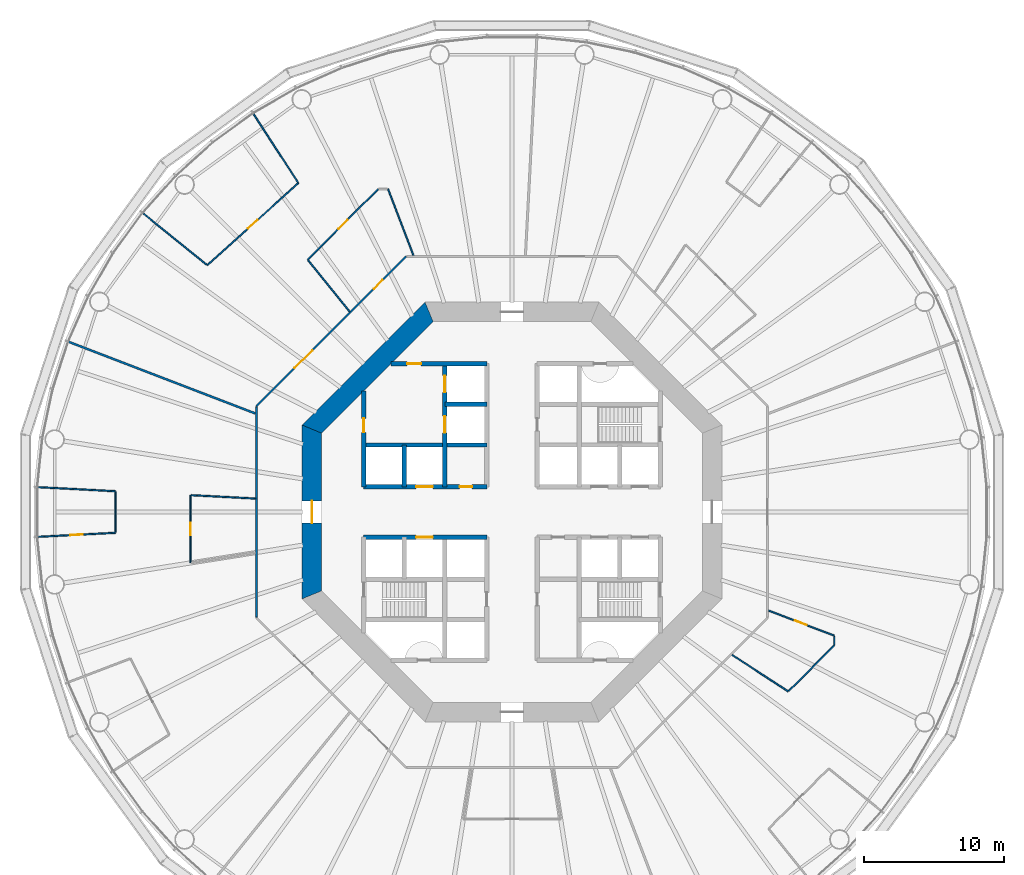
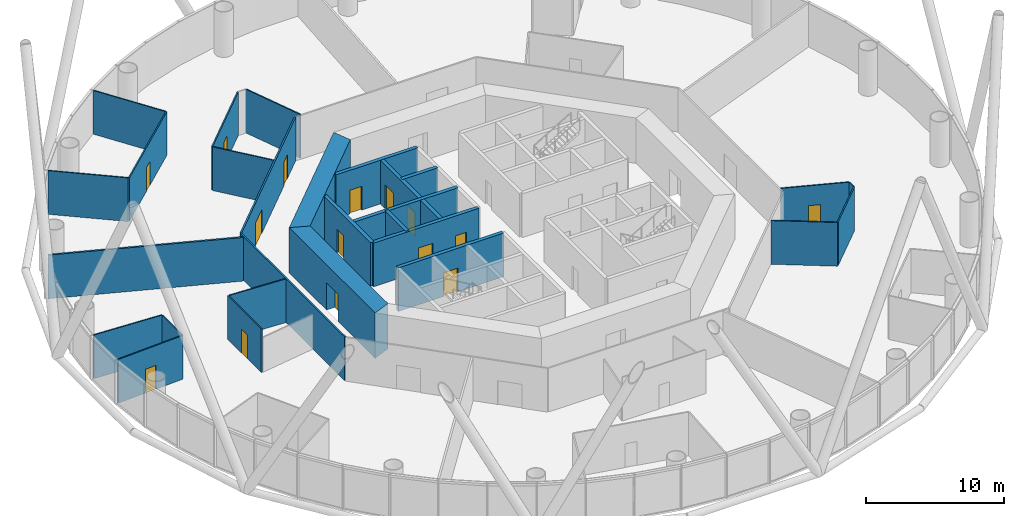
# One storey, part 4 of 13: 28 walls, 15 doors, 15 openings.
"""IFC4 building model written with IfcOpenShell, lengths in metres."""

from ifc_helpers import new_model, si_unit, direction, frame, frame_2d, origin, place, context, subcontext, project, spatial, polyline, rectangle, outline, extrude, material, layer, layer_set, type_object, element, fill, save


model = new_model("IFC4")

# Units and contexts
model_context = context("Model", 3, precision=1e-05, world=origin(), true_north=direction((0.0, 1.0)))
body_context = subcontext(model_context, "Body", "Model", "MODEL_VIEW")
ifc_project = project(units=[si_unit("LENGTHUNIT", "METRE"), si_unit("AREAUNIT", "SQUARE_METRE"), si_unit("VOLUMEUNIT", "CUBIC_METRE"), si_unit("PLANEANGLEUNIT", "RADIAN"), si_unit("MASSUNIT", "GRAM", prefix="KILO")], contexts=[model_context])

# Site, building, storey
site_placement = place(None, origin())
site = spatial("IfcSite", under=ifc_project, at=site_placement, CompositionType="ELEMENT")
building_placement = place(site_placement, origin())
building = spatial("IfcBuilding", under=site, at=building_placement, Name="Entoto Ring Tower", CompositionType="ELEMENT")
storey_placement = place(building_placement, frame((0.0, 0.0, 54.0)))
storey = spatial("IfcBuildingStorey", under=building, at=storey_placement, Name="L11", CompositionType="ELEMENT", Elevation=54.0)

# Wall, openings, doors
ifc_material_1 = material(Name="Concrete C40/50", Category="concrete")
ifc_layer_1 = layer(ifc_material_1, 0.300048828125)
ifc_layer_set_1 = layer_set([ifc_layer_1], Name="Concrete C40/50")
wall_type_1 = type_object("IfcWallType", Name="Core enclosure wall 300 mm reinforced concrete", PredefinedType="SOLIDWALL", material=ifc_layer_set_1)
wall_1_placement = place(storey_placement, frame((85.199951171875, 81.800048828125, 0.0), z_axis=(0.0, 0.0, 1.0), x_axis=(0.0, 1.0, 0.0)))
wall_1 = element("IfcWall", 1, at=wall_1_placement, inside=storey, type_object=wall_type_1, Name="wall-L11-012", PredefinedType="SOLIDWALL", context=body_context, shape_type="SweptSolid", body=[
    extrude(rectangle(XDim=8.800048828125, YDim=0.300048828125, at=frame_2d((4.39990234375, 0.0))), origin(), (0.0, 0.0, 1.0), 3.85009765625),
])
opening_1_placement = place(wall_1_placement, frame((3.85009765625, 0.0, 0.0)))
opening_1 = element("IfcOpeningElement", 2, at=opening_1_placement, cuts=wall_1, Name="Opening LD", PredefinedType="OPENING", context=body_context, shape_type="SweptSolid", body=[
    extrude(rectangle(XDim=1.199951171875, YDim=2.10009765625, at=frame_2d((0.60009765625, 1.050048828125))), frame((0.0, 0.16015625, 0.0), z_axis=(0.0, -1.0, 0.0), x_axis=(1.0, 0.0, 0.0)), (0.0, 0.0, 1.0), 0.320068359375),
])
opening_2_placement = place(wall_1_placement, frame((6.75, 0.0, 0.0)))
opening_2 = element("IfcOpeningElement", 3, at=opening_2_placement, cuts=wall_1, Name="Opening LD", PredefinedType="OPENING", context=body_context, shape_type="SweptSolid", body=[
    extrude(rectangle(XDim=1.199951171875, YDim=2.10009765625, at=frame_2d((0.60009765625, 1.050048828125))), frame((0.0, 0.16015625, 0.0), z_axis=(0.0, -1.0, 0.0), x_axis=(1.0, 0.0, 0.0)), (0.0, 0.0, 1.0), 0.320068359375),
])
ifc_material_2 = material(Name="Steel and glass door leaf", Category="steel")
ifc_layer_2 = layer(ifc_material_2, 0.050048828125)
ifc_layer_set_2 = layer_set([ifc_layer_2], Name="Steel and glass door leaf")
door_type_1 = type_object("IfcDoorType", Name="Landing door 1200 x 2100 sliding", OperationType="DOUBLE_DOOR_SLIDING", PredefinedType="DOOR", material=ifc_layer_set_2)
door_1_placement = place(opening_1_placement, origin())
door_1 = element("IfcDoor", 4, at=door_1_placement, inside=storey, type_object=door_type_1, Name="Landing door FF1", OperationType="SLIDING_TO_RIGHT", OverallHeight=2.10009765625, OverallWidth=1.199951171875, PredefinedType="DOOR", context=body_context, shape_type="SweptSolid", body=[
    extrude(rectangle(XDim=1.199951171875, YDim=2.10009765625, at=frame_2d((0.60009765625, 1.050048828125))), frame((0.0, 0.02490234375, 0.0), z_axis=(0.0, -1.0, 0.0), x_axis=(1.0, 0.0, 0.0)), (0.0, 0.0, 1.0), 0.050048828125),
])
fill(opening_1, door_1)
door_2_placement = place(opening_2_placement, origin())
door_2 = element("IfcDoor", 5, at=door_2_placement, inside=storey, type_object=door_type_1, Name="Landing door FF2", OperationType="SLIDING_TO_RIGHT", OverallHeight=2.10009765625, OverallWidth=1.199951171875, PredefinedType="DOOR", context=body_context, shape_type="SweptSolid", body=[
    extrude(rectangle(XDim=1.199951171875, YDim=2.10009765625, at=frame_2d((0.60009765625, 1.050048828125))), frame((0.0, 0.02490234375, 0.0), z_axis=(0.0, -1.0, 0.0), x_axis=(1.0, 0.0, 0.0)), (0.0, 0.0, 1.0), 0.050048828125),
])
fill(opening_2, door_2)

# Wall
wall_2_placement = place(storey_placement, frame((82.300048828125, 81.800048828125, 0.0), z_axis=(0.0, 0.0, 1.0), x_axis=(0.0, 1.0, 0.0)))
element("IfcWall", 6, at=wall_2_placement, inside=storey, type_object=wall_type_1, Name="wall-L11-014", PredefinedType="SOLIDWALL", context=body_context, shape_type="SweptSolid", body=[
    extrude(rectangle(XDim=3.0, YDim=0.300048828125, at=frame_2d((1.5, 0.0))), origin(), (0.0, 0.0, 1.0), 3.85009765625),
])

# Wall, opening, door
wall_3_placement = place(storey_placement, frame((79.39990234375, 81.800048828125, 0.0), z_axis=(0.0, 0.0, 1.0), x_axis=(0.0, 1.0, 0.0)))
wall_3 = element("IfcWall", 7, at=wall_3_placement, inside=storey, type_object=wall_type_1, Name="wall-L11-016", PredefinedType="SOLIDWALL", context=body_context, shape_type="SweptSolid", body=[
    extrude(rectangle(XDim=6.833251953125, YDim=0.300048828125, at=frame_2d((3.41650390625, 0.0))), origin(), (0.0, 0.0, 1.0), 3.85009765625),
])
opening_3_placement = place(wall_3_placement, frame((3.89990234375, 0.0, 0.0)))
opening_3 = element("IfcOpeningElement", 8, at=opening_3_placement, cuts=wall_3, Name="Opening K-22", PredefinedType="OPENING", context=body_context, shape_type="SweptSolid", body=[
    extrude(rectangle(XDim=1.0, YDim=2.10009765625, at=frame_2d((0.5, 1.050048828125))), frame((0.0, 0.16015625, 0.0), z_axis=(0.0, -1.0, 0.0), x_axis=(1.0, 0.0, 0.0)), (0.0, 0.0, 1.0), 0.320068359375),
])
ifc_material_3 = material(Name="Steel door leaf, fire rated", Category="steel")
ifc_layer_3 = layer(ifc_material_3, 0.050048828125)
ifc_layer_set_3 = layer_set([ifc_layer_3], Name="Steel door leaf, fire rated")
door_type_2 = type_object("IfcDoorType", Name="Fire door FD60 1000 x 2100 single leaf", OperationType="NOTDEFINED", PredefinedType="DOOR", material=ifc_layer_set_3)
door_3_placement = place(opening_3_placement, frame((1.0, 0.0, 0.0), z_axis=(0.0, 0.0, 1.0), x_axis=(-1.0, 0.0, 0.0)))
door_3 = element("IfcDoor", 9, at=door_3_placement, inside=storey, type_object=door_type_2, Name="Door K-22", OperationType="SINGLE_SWING_LEFT", OverallHeight=2.10009765625, OverallWidth=1.0, PredefinedType="DOOR", context=body_context, shape_type="SweptSolid", body=[
    extrude(rectangle(XDim=1.0, YDim=2.10009765625, at=frame_2d((0.5, 1.050048828125))), frame((0.0, 0.02490234375, 0.0), z_axis=(0.0, -1.0, 0.0), x_axis=(1.0, 0.0, 0.0)), (0.0, 0.0, 1.0), 0.050048828125),
])
fill(opening_3, door_3)

wall_4_placement = place(storey_placement, frame((79.39990234375, 78.199951171875, 0.0), z_axis=(0.0, 0.0, 1.0), x_axis=(1.0, 0.0, 0.0)))
wall_4 = element("IfcWall", 10, at=wall_4_placement, inside=storey, type_object=wall_type_1, Name="wall-L11-023", PredefinedType="SOLIDWALL", context=body_context, shape_type="SweptSolid", body=[
    extrude(rectangle(XDim=8.800048828125, YDim=0.300048828125, at=frame_2d((4.39990234375, 0.0))), origin(), (0.0, 0.0, 1.0), 3.85009765625),
])
opening_4_placement = place(wall_4_placement, frame((3.75, 0.0, 0.0)))
opening_4 = element("IfcOpeningElement", 11, at=opening_4_placement, cuts=wall_4, Name="Opening LD", PredefinedType="OPENING", context=body_context, shape_type="SweptSolid", body=[
    extrude(rectangle(XDim=1.199951171875, YDim=2.10009765625, at=frame_2d((0.60009765625, 1.050048828125))), frame((0.0, 0.16015625, 0.0), z_axis=(0.0, -1.0, 0.0), x_axis=(1.0, 0.0, 0.0)), (0.0, 0.0, 1.0), 0.320068359375),
])
door_4_placement = place(opening_4_placement, origin())
door_4 = element("IfcDoor", 12, at=door_4_placement, inside=storey, type_object=door_type_1, Name="Landing door LB6-LR", OperationType="SLIDING_TO_RIGHT", OverallHeight=2.10009765625, OverallWidth=1.199951171875, PredefinedType="DOOR", context=body_context, shape_type="SweptSolid", body=[
    extrude(rectangle(XDim=1.199951171875, YDim=2.10009765625, at=frame_2d((0.60009765625, 1.050048828125))), frame((0.0, 0.02490234375, 0.0), z_axis=(0.0, -1.0, 0.0), x_axis=(1.0, 0.0, 0.0)), (0.0, 0.0, 1.0), 0.050048828125),
])
fill(opening_4, door_4)

# Wall, openings, doors
wall_5_placement = place(storey_placement, frame((79.39990234375, 81.800048828125, 0.0), z_axis=(0.0, 0.0, 1.0), x_axis=(1.0, 0.0, 0.0)))
wall_5 = element("IfcWall", 13, at=wall_5_placement, inside=storey, type_object=wall_type_1, Name="wall-L11-025", PredefinedType="SOLIDWALL", context=body_context, shape_type="SweptSolid", body=[
    extrude(rectangle(XDim=8.800048828125, YDim=0.300048828125, at=frame_2d((4.39990234375, 0.0))), origin(), (0.0, 0.0, 1.0), 3.85009765625),
])
opening_5_placement = place(wall_5_placement, frame((3.75, 0.0, 0.0)))
opening_5 = element("IfcOpeningElement", 14, at=opening_5_placement, cuts=wall_5, Name="Opening LD", PredefinedType="OPENING", context=body_context, shape_type="SweptSolid", body=[
    extrude(rectangle(XDim=1.199951171875, YDim=2.10009765625, at=frame_2d((0.60009765625, 1.050048828125))), frame((0.0, 0.16015625, 0.0), z_axis=(0.0, -1.0, 0.0), x_axis=(1.0, 0.0, 0.0)), (0.0, 0.0, 1.0), 0.320068359375),
])
opening_6_placement = place(wall_5_placement, frame((6.85009765625, 0.0, 0.0)))
opening_6 = element("IfcOpeningElement", 15, at=opening_6_placement, cuts=wall_5, Name="Opening K-14", PredefinedType="OPENING", context=body_context, shape_type="SweptSolid", body=[
    extrude(rectangle(XDim=0.89990234375, YDim=2.10009765625, at=frame_2d((0.449951171875, 1.050048828125))), frame((0.0, 0.16015625, 0.0), z_axis=(0.0, -1.0, 0.0), x_axis=(1.0, 0.0, 0.0)), (0.0, 0.0, 1.0), 0.320068359375),
])
ifc_material_4 = material(Name="Steel door leaf, fire rated", Category="steel")
ifc_layer_4 = layer(ifc_material_4, 0.050048828125)
ifc_layer_set_4 = layer_set([ifc_layer_4], Name="Steel door leaf, fire rated")
door_type_3 = type_object("IfcDoorType", Name="Core door 900 x 2100 single leaf", OperationType="NOTDEFINED", PredefinedType="DOOR", material=ifc_layer_set_4)
door_5_placement = place(opening_6_placement, frame((0.89990234375, 0.0, 0.0), z_axis=(0.0, 0.0, 1.0), x_axis=(-1.0, 0.0, 0.0)))
door_5 = element("IfcDoor", 16, at=door_5_placement, inside=storey, type_object=door_type_3, Name="Door K-14", OperationType="SINGLE_SWING_RIGHT", OverallHeight=2.10009765625, OverallWidth=0.89990234375, PredefinedType="DOOR", context=body_context, shape_type="SweptSolid", body=[
    extrude(rectangle(XDim=0.89990234375, YDim=2.10009765625, at=frame_2d((0.449951171875, 1.050048828125))), frame((0.0, 0.02490234375, 0.0), z_axis=(0.0, -1.0, 0.0), x_axis=(1.0, 0.0, 0.0)), (0.0, 0.0, 1.0), 0.050048828125),
])
fill(opening_6, door_5)
door_6_placement = place(opening_5_placement, origin())
door_6 = element("IfcDoor", 17, at=door_6_placement, inside=storey, type_object=door_type_1, Name="Landing door LB3-LR", OperationType="SLIDING_TO_RIGHT", OverallHeight=2.10009765625, OverallWidth=1.199951171875, PredefinedType="DOOR", context=body_context, shape_type="SweptSolid", body=[
    extrude(rectangle(XDim=1.199951171875, YDim=2.10009765625, at=frame_2d((0.60009765625, 1.050048828125))), frame((0.0, 0.02490234375, 0.0), z_axis=(0.0, -1.0, 0.0), x_axis=(1.0, 0.0, 0.0)), (0.0, 0.0, 1.0), 0.050048828125),
])
fill(opening_5, door_6)

# Walls
wall_6_placement = place(storey_placement, frame((79.39990234375, 84.800048828125, 0.0), z_axis=(0.0, 0.0, 1.0), x_axis=(1.0, 0.0, 0.0)))
element("IfcWall", 18, at=wall_6_placement, inside=storey, type_object=wall_type_1, Name="wall-L11-027", PredefinedType="SOLIDWALL", context=body_context, shape_type="SweptSolid", body=[
    extrude(rectangle(XDim=8.800048828125, YDim=0.300048828125, at=frame_2d((4.39990234375, 0.0))), origin(), (0.0, 0.0, 1.0), 3.85009765625),
])
wall_7_placement = place(storey_placement, frame((85.199951171875, 87.699951171875, 0.0), z_axis=(0.0, 0.0, 1.0), x_axis=(1.0, 0.0, 0.0)))
element("IfcWall", 19, at=wall_7_placement, inside=storey, type_object=wall_type_1, Name="wall-L11-029", PredefinedType="SOLIDWALL", context=body_context, shape_type="SweptSolid", body=[
    extrude(rectangle(XDim=3.0, YDim=0.300048828125, at=frame_2d((1.5, 0.0))), origin(), (0.0, 0.0, 1.0), 3.85009765625),
])

# Wall, opening, door
wall_8_placement = place(storey_placement, frame((81.36669921875, 90.60009765625, 0.0), z_axis=(0.0, 0.0, 1.0), x_axis=(1.0, 0.0, 0.0)))
wall_8 = element("IfcWall", 20, at=wall_8_placement, inside=storey, type_object=wall_type_1, Name="wall-L11-031", PredefinedType="SOLIDWALL", context=body_context, shape_type="SweptSolid", body=[
    extrude(rectangle(XDim=6.833251953125, YDim=0.300048828125, at=frame_2d((3.41650390625, 0.0))), origin(), (0.0, 0.0, 1.0), 3.85009765625),
])
opening_7_placement = place(wall_8_placement, frame((1.13330078125, 0.0, 0.0)))
opening_7 = element("IfcOpeningElement", 21, at=opening_7_placement, cuts=wall_8, Name="Opening K-23", PredefinedType="OPENING", context=body_context, shape_type="SweptSolid", body=[
    extrude(rectangle(XDim=1.0, YDim=2.10009765625, at=frame_2d((0.5, 1.050048828125))), frame((0.0, 0.16015625, 0.0), z_axis=(0.0, -1.0, 0.0), x_axis=(1.0, 0.0, 0.0)), (0.0, 0.0, 1.0), 0.320068359375),
])
door_7_placement = place(opening_7_placement, frame((1.0, 0.0, 0.0), z_axis=(0.0, 0.0, 1.0), x_axis=(-1.0, 0.0, 0.0)))
door_7 = element("IfcDoor", 22, at=door_7_placement, inside=storey, type_object=door_type_2, Name="Door K-23", OperationType="SINGLE_SWING_RIGHT", OverallHeight=2.10009765625, OverallWidth=1.0, PredefinedType="DOOR", context=body_context, shape_type="SweptSolid", body=[
    extrude(rectangle(XDim=1.0, YDim=2.10009765625, at=frame_2d((0.5, 1.050048828125))), frame((0.0, 0.02490234375, 0.0), z_axis=(0.0, -1.0, 0.0), x_axis=(1.0, 0.0, 0.0)), (0.0, 0.0, 1.0), 0.050048828125),
])
fill(opening_7, door_7)

# Wall
ifc_material_5 = material(Name="Concrete C60/75", Category="concrete")
ifc_layer_5 = layer(ifc_material_5, 1.39990234375)
ifc_layer_set_5 = layer_set([ifc_layer_5], Name="Concrete C60/75")
wall_type_2 = type_object("IfcWallType", Name="Core shear wall 1400 mm reinforced concrete C60/75", PredefinedType="SHEAR", material=ifc_layer_set_5)
wall_9_placement = place(storey_placement, frame((84.07666015625, 94.300048828125, 0.0), z_axis=(0.0, 0.0, 1.0), x_axis=(-0.707106781187, -0.707106781187, 0.0)))
element("IfcWall", 23, at=wall_9_placement, inside=storey, type_object=wall_type_2, Name="wall-L11-core-3", PredefinedType="SHEAR", context=body_context, shape_type="SweptSolid", body=[
    extrude(outline(polyline([(-0.2900390625, -0.699951171875), (12.136474609375, -0.699951171875), (11.556396484375, 0.699951171875), (0.2900390625, 0.699951171875), (-0.2900390625, -0.699951171875)])), origin(), (0.0, 0.0, 1.0), 4.0),
])

# Wall, opening, door
wall_10_placement = place(storey_placement, frame((75.699951171875, 85.92333984375, 0.0), z_axis=(0.0, 0.0, 1.0), x_axis=(0.0, -1.0, 0.0)))
wall_10 = element("IfcWall", 24, at=wall_10_placement, inside=storey, type_object=wall_type_2, Name="wall-L11-core-4", PredefinedType="SHEAR", context=body_context, shape_type="SweptSolid", body=[
    extrude(outline(polyline([(-0.2900390625, -0.699951171875), (12.13671875, -0.699951171875), (11.556640625, 0.699951171875), (0.2900390625, 0.699951171875), (-0.2900390625, -0.699951171875)])), origin(), (0.0, 0.0, 1.0), 4.0),
])
opening_8_placement = place(wall_10_placement, frame((5.123291015625, 0.0, 0.0)))
opening_8 = element("IfcOpeningElement", 25, at=opening_8_placement, cuts=wall_10, Name="Opening K-03", PredefinedType="OPENING", context=body_context, shape_type="SweptSolid", body=[
    extrude(rectangle(XDim=1.60009765625, YDim=2.39990234375, at=frame_2d((0.800048828125, 1.199951171875))), frame((0.0, 0.7099609375, 0.0), z_axis=(0.0, -1.0, 0.0), x_axis=(1.0, 0.0, 0.0)), (0.0, 0.0, 1.0), 1.419921875),
])
ifc_material_6 = material(Name="Steel door leaf, fire rated", Category="steel")
ifc_layer_6 = layer(ifc_material_6, 0.050048828125)
ifc_layer_set_6 = layer_set([ifc_layer_6], Name="Steel door leaf, fire rated")
door_type_4 = type_object("IfcDoorType", Name="Entrance door FD60 1600 x 2400 double leaf", OperationType="DOUBLE_DOOR_SINGLE_SWING", PredefinedType="DOOR", material=ifc_layer_set_6)
door_8_placement = place(opening_8_placement, origin())
door_8 = element("IfcDoor", 26, at=door_8_placement, inside=storey, type_object=door_type_4, Name="Entrance door K-03", OperationType="DOUBLE_DOOR_SINGLE_SWING", OverallHeight=2.39990234375, OverallWidth=1.60009765625, PredefinedType="DOOR", context=body_context, shape_type="SweptSolid", body=[
    extrude(rectangle(XDim=1.60009765625, YDim=2.39990234375, at=frame_2d((0.800048828125, 1.199951171875))), frame((0.0, 0.02490234375, 0.0), z_axis=(0.0, -1.0, 0.0), x_axis=(1.0, 0.0, 0.0)), (0.0, 0.0, 1.0), 0.050048828125),
])
fill(opening_8, door_8)

# Wall, openings, doors
ifc_material_7 = material(Name="Fire-resisting plasterboard on steel studs", Category="steel")
ifc_layer_7 = layer(ifc_material_7, 0.125)
ifc_layer_set_7 = layer_set([ifc_layer_7], Name="Fire-resisting plasterboard on steel studs")
wall_type_3 = type_object("IfcWallType", Name="Corridor wall 125 mm one-hour plasterboard on steel studs", PredefinedType="PARTITIONING", material=ifc_layer_set_7)
wall_11_placement = place(storey_placement, frame((71.737548828125, 87.564697265625, 0.0), z_axis=(0.0, 0.0, 1.0), x_axis=(0.707106781187, 0.707106781187, 0.0)))
wall_11 = element("IfcWall", 27, at=wall_11_placement, inside=storey, type_object=wall_type_3, Name="partition-L11-001", PredefinedType="PARTITIONING", context=body_context, shape_type="SweptSolid", body=[
    extrude(rectangle(XDim=15.12890625, YDim=0.125, at=frame_2d((7.564453125, 0.0))), origin(), (0.0, 0.0, 1.0), 3.85009765625),
])
opening_9_placement = place(wall_11_placement, frame((3.842041015625, 0.0, 0.0)))
opening_9 = element("IfcOpeningElement", 28, at=opening_9_placement, cuts=wall_11, Name="Opening A05-D14", PredefinedType="OPENING", context=body_context, shape_type="SweptSolid", body=[
    extrude(rectangle(XDim=1.800048828125, YDim=2.10009765625, at=frame_2d((0.89990234375, 1.050048828125))), frame((0.0, 0.072509765625, 0.0), z_axis=(0.0, -1.0, 0.0), x_axis=(1.0, 0.0, 0.0)), (0.0, 0.0, 1.0), 0.14501953125),
])
opening_10_placement = place(wall_11_placement, frame((11.8564453125, 0.0, 0.0)))
opening_10 = element("IfcOpeningElement", 29, at=opening_10_placement, cuts=wall_11, Name="Opening A05-D16", PredefinedType="OPENING", context=body_context, shape_type="SweptSolid", body=[
    extrude(rectangle(XDim=0.89990234375, YDim=2.10009765625, at=frame_2d((0.449951171875, 1.050048828125))), frame((0.0, 0.072509765625, 0.0), z_axis=(0.0, -1.0, 0.0), x_axis=(1.0, 0.0, 0.0)), (0.0, 0.0, 1.0), 0.14501953125),
])
ifc_material_8 = material(Name="Fire-resisting timber door set", Category="wood")
door_type_5 = type_object("IfcDoorType", Name="Door 1000 x 2100 single leaf FD30S fire door", OperationType="NOTDEFINED", PredefinedType="DOOR", material=ifc_material_8)
door_9_placement = place(opening_10_placement, origin())
door_9 = element("IfcDoor", 30, at=door_9_placement, inside=storey, type_object=door_type_5, Name="Door A05-D16", OperationType="SINGLE_SWING_LEFT", OverallHeight=2.10009765625, OverallWidth=0.89990234375, PredefinedType="DOOR", context=body_context, shape_type="SweptSolid", body=[
    extrude(rectangle(XDim=0.89990234375, YDim=2.10009765625, at=frame_2d((0.449951171875, 1.050048828125))), frame((0.0, 0.02490234375, 0.0), z_axis=(0.0, -1.0, 0.0), x_axis=(1.0, 0.0, 0.0)), (0.0, 0.0, 1.0), 0.050048828125),
])
fill(opening_10, door_9)
ifc_material_9 = material(Name="Fire-resisting timber door set", Category="wood")
door_type_6 = type_object("IfcDoorType", Name="Door 1800 x 2100 double leaf FD30S fire door", OperationType="DOUBLE_DOOR_SINGLE_SWING", PredefinedType="DOOR", material=ifc_material_9)
door_10_placement = place(opening_9_placement, origin())
door_10 = element("IfcDoor", 31, at=door_10_placement, inside=storey, type_object=door_type_6, Name="Door A05-D14", OperationType="DOUBLE_DOOR_SINGLE_SWING", OverallHeight=2.10009765625, OverallWidth=1.800048828125, PredefinedType="DOOR", context=body_context, shape_type="SweptSolid", body=[
    extrude(rectangle(XDim=1.800048828125, YDim=2.10009765625, at=frame_2d((0.89990234375, 1.050048828125))), frame((0.0, 0.02490234375, 0.0), z_axis=(0.0, -1.0, 0.0), x_axis=(1.0, 0.0, 0.0)), (0.0, 0.0, 1.0), 0.050048828125),
])
fill(opening_9, door_10)

# Wall
wall_12_placement = place(storey_placement, frame((71.737548828125, 72.4794921875, 0.0), z_axis=(0.0, 0.0, 1.0), x_axis=(0.0, 1.0, 0.0)))
element("IfcWall", 32, at=wall_12_placement, inside=storey, type_object=wall_type_3, Name="partition-L11-005", PredefinedType="PARTITIONING", context=body_context, shape_type="SweptSolid", body=[
    extrude(rectangle(XDim=15.041015625, YDim=0.125, at=frame_2d((7.5205078125, 0.0))), origin(), (0.0, 0.0, 1.0), 3.85009765625),
])

# Wall, opening, door
ifc_material_10 = material(Name="Plasterboard on steel studs", Category="steel")
ifc_layer_8 = layer(ifc_material_10, 0.10009765625)
ifc_layer_set_8 = layer_set([ifc_layer_8], Name="Plasterboard on steel studs")
wall_type_4 = type_object("IfcWallType", Name="Partition 100 mm plasterboard on steel studs", PredefinedType="PARTITIONING", material=ifc_layer_set_8)
wall_13_placement = place(storey_placement, frame((68.216552734375, 97.639892578125, 0.0), z_axis=(0.0, 0.0, 1.0), x_axis=(0.743162627125, 0.669110835098, 0.0)))
wall_13 = element("IfcWall", 33, at=wall_13_placement, inside=storey, type_object=wall_type_4, Name="partition-L11-015", PredefinedType="PARTITIONING", context=body_context, shape_type="SweptSolid", body=[
    extrude(rectangle(XDim=8.769775390625, YDim=0.10009765625, at=frame_2d((4.384765625, 0.0))), origin(), (0.0, 0.0, 1.0), 3.85009765625),
])
opening_11_placement = place(wall_13_placement, frame((3.934814453125, 0.0, 0.0)))
opening_11 = element("IfcOpeningElement", 34, at=opening_11_placement, cuts=wall_13, Name="Opening A05-D17", PredefinedType="OPENING", context=body_context, shape_type="SweptSolid", body=[
    extrude(rectangle(XDim=0.89990234375, YDim=2.10009765625, at=frame_2d((0.449951171875, 1.050048828125))), frame((0.0, 0.06005859375, 0.0), z_axis=(0.0, -1.0, 0.0), x_axis=(1.0, 0.0, 0.0)), (0.0, 0.0, 1.0), 0.1201171875),
])
ifc_material_11 = material(Name="Veneered timber door leaf in timber frame", Category="wood")
door_type_7 = type_object("IfcDoorType", Name="Door 900 x 2100 single leaf timber veneer", OperationType="NOTDEFINED", PredefinedType="DOOR", material=ifc_material_11)
door_11_placement = place(opening_11_placement, origin())
door_11 = element("IfcDoor", 35, at=door_11_placement, inside=storey, type_object=door_type_7, Name="Door A05-D17", OperationType="SINGLE_SWING_RIGHT", OverallHeight=2.10009765625, OverallWidth=0.89990234375, PredefinedType="DOOR", context=body_context, shape_type="SweptSolid", body=[
    extrude(rectangle(XDim=0.89990234375, YDim=2.10009765625, at=frame_2d((0.449951171875, 1.050048828125))), frame((0.0, 0.02490234375, 0.0), z_axis=(0.0, -1.0, 0.0), x_axis=(1.0, 0.0, 0.0)), (0.0, 0.0, 1.0), 0.050048828125),
])
fill(opening_11, door_11)

wall_14_placement = place(storey_placement, frame((75.393798828125, 98.037353515625, 0.0), z_axis=(0.0, 0.0, 1.0), x_axis=(0.707106781187, 0.707106781187, 0.0)))
wall_14 = element("IfcWall", 36, at=wall_14_placement, inside=storey, type_object=wall_type_4, Name="partition-L11-016", PredefinedType="PARTITIONING", context=body_context, shape_type="SweptSolid", body=[
    extrude(rectangle(XDim=7.135009765625, YDim=0.10009765625, at=frame_2d((3.5673828125, 0.0))), origin(), (0.0, 0.0, 1.0), 3.85009765625),
])
opening_12_placement = place(wall_14_placement, frame((3.117431640625, 0.0, 0.0)))
opening_12 = element("IfcOpeningElement", 37, at=opening_12_placement, cuts=wall_14, Name="Opening A05-D15", PredefinedType="OPENING", context=body_context, shape_type="SweptSolid", body=[
    extrude(rectangle(XDim=0.89990234375, YDim=2.10009765625, at=frame_2d((0.449951171875, 1.050048828125))), frame((0.0, 0.06005859375, 0.0), z_axis=(0.0, -1.0, 0.0), x_axis=(1.0, 0.0, 0.0)), (0.0, 0.0, 1.0), 0.1201171875),
])
door_12_placement = place(opening_12_placement, frame((0.89990234375, 0.0, 0.0), z_axis=(0.0, 0.0, 1.0), x_axis=(-1.0, 0.0, 0.0)))
door_12 = element("IfcDoor", 38, at=door_12_placement, inside=storey, type_object=door_type_7, Name="Door A05-D15", OperationType="SINGLE_SWING_RIGHT", OverallHeight=2.10009765625, OverallWidth=0.89990234375, PredefinedType="DOOR", context=body_context, shape_type="SweptSolid", body=[
    extrude(rectangle(XDim=0.89990234375, YDim=2.10009765625, at=frame_2d((0.449951171875, 1.050048828125))), frame((0.0, 0.02490234375, 0.0), z_axis=(0.0, -1.0, 0.0), x_axis=(1.0, 0.0, 0.0)), (0.0, 0.0, 1.0), 0.050048828125),
])
fill(opening_12, door_12)

# Walls
wall_15_placement = place(storey_placement, frame((74.706787109375, 103.54931640625, 0.0), z_axis=(0.0, 0.0, 1.0), x_axis=(-0.544623708746, 0.838680520742, 0.0)))
element("IfcWall", 39, at=wall_15_placement, inside=storey, type_object=wall_type_4, Name="partition-L11-021", PredefinedType="PARTITIONING", context=body_context, shape_type="SweptSolid", body=[
    extrude(rectangle(XDim=5.86083984375, YDim=0.10009765625, at=frame_2d((2.930419921875, 0.0))), origin(), (0.0, 0.0, 1.0), 3.85009765625),
])
wall_16_placement = place(storey_placement, frame((68.17822265625, 97.6708984375, 0.0), z_axis=(0.0, 0.0, 1.0), x_axis=(-0.777136205055, 0.629332439012, 0.0)))
element("IfcWall", 40, at=wall_16_placement, inside=storey, type_object=wall_type_4, Name="partition-L11-022", PredefinedType="PARTITIONING", context=body_context, shape_type="SweptSolid", body=[
    extrude(rectangle(XDim=5.860595703125, YDim=0.10009765625, at=frame_2d((2.93017578125, 0.0))), origin(), (0.0, 0.0, 1.0), 3.85009765625),
])

# Wall, opening, door
wall_17_placement = place(storey_placement, frame((56.1064453125, 78.2236328125, 0.0), z_axis=(0.0, 0.0, 1.0), x_axis=(0.998629328492, 0.052339891816, 0.0)))
wall_17 = element("IfcWall", 41, at=wall_17_placement, inside=storey, type_object=wall_type_4, Name="partition-L11-027", PredefinedType="PARTITIONING", context=body_context, shape_type="SweptSolid", body=[
    extrude(rectangle(XDim=5.56005859375, YDim=0.10009765625, at=frame_2d((2.780029296875, 0.0))), origin(), (0.0, 0.0, 1.0), 3.85009765625),
])
opening_13_placement = place(wall_17_placement, frame((2.330078125, 0.0, 0.0)))
opening_13 = element("IfcOpeningElement", 42, at=opening_13_placement, cuts=wall_17, Name="Opening A05-D03", PredefinedType="OPENING", context=body_context, shape_type="SweptSolid", body=[
    extrude(rectangle(XDim=0.89990234375, YDim=2.10009765625, at=frame_2d((0.449951171875, 1.050048828125))), frame((0.0, 0.06005859375, 0.0), z_axis=(0.0, -1.0, 0.0), x_axis=(1.0, 0.0, 0.0)), (0.0, 0.0, 1.0), 0.1201171875),
])
door_13_placement = place(opening_13_placement, origin())
door_13 = element("IfcDoor", 43, at=door_13_placement, inside=storey, type_object=door_type_7, Name="Door A05-D03", OperationType="SINGLE_SWING_LEFT", OverallHeight=2.10009765625, OverallWidth=0.89990234375, PredefinedType="DOOR", context=body_context, shape_type="SweptSolid", body=[
    extrude(rectangle(XDim=0.89990234375, YDim=2.10009765625, at=frame_2d((0.449951171875, 1.050048828125))), frame((0.0, 0.02490234375, 0.0), z_axis=(0.0, -1.0, 0.0), x_axis=(1.0, 0.0, 0.0)), (0.0, 0.0, 1.0), 0.050048828125),
])
fill(opening_13, door_13)

# Walls
wall_18_placement = place(storey_placement, frame((61.658935546875, 81.4853515625, 0.0), z_axis=(0.0, 0.0, 1.0), x_axis=(-0.998629328492, 0.052339891816, 0.0)))
element("IfcWall", 44, at=wall_18_placement, inside=storey, type_object=wall_type_4, Name="partition-L11-028", PredefinedType="PARTITIONING", context=body_context, shape_type="SweptSolid", body=[
    extrude(rectangle(XDim=5.56005859375, YDim=0.10009765625, at=frame_2d((2.780029296875, 0.0))), origin(), (0.0, 0.0, 1.0), 3.85009765625),
])
wall_19_placement = place(storey_placement, frame((82.958984375, 98.3427734375, 0.0), z_axis=(0.0, 0.0, 1.0), x_axis=(-0.358395762985, 0.933569749443, 0.0)))
element("IfcWall", 45, at=wall_19_placement, inside=storey, type_object=wall_type_4, Name="partition-L11-029", PredefinedType="PARTITIONING", context=body_context, shape_type="SweptSolid", body=[
    extrude(rectangle(XDim=5.076904296875, YDim=0.10009765625, at=frame_2d((2.53857421875, 0.0))), origin(), (0.0, 0.0, 1.0), 3.85009765625),
])

# Wall, opening, door
wall_20_placement = place(storey_placement, frame((113.032470703125, 71.15869140625, 0.0), z_axis=(0.0, 0.0, 1.0), x_axis=(-0.933574641802, 0.358383018827, 0.0)))
wall_20 = element("IfcWall", 46, at=wall_20_placement, inside=storey, type_object=wall_type_4, Name="partition-L11-030", PredefinedType="PARTITIONING", context=body_context, shape_type="SweptSolid", body=[
    extrude(rectangle(XDim=5.0234375, YDim=0.10009765625, at=frame_2d((2.51171875, 0.0))), origin(), (0.0, 0.0, 1.0), 3.85009765625),
])
opening_14_placement = place(wall_20_placement, frame((2.104736328125, 0.0, 0.0)))
opening_14 = element("IfcOpeningElement", 47, at=opening_14_placement, cuts=wall_20, Name="Opening A05-D09", PredefinedType="OPENING", context=body_context, shape_type="SweptSolid", body=[
    extrude(rectangle(XDim=0.89990234375, YDim=2.10009765625, at=frame_2d((0.449951171875, 1.050048828125))), frame((0.0, 0.06005859375, 0.0), z_axis=(0.0, -1.0, 0.0), x_axis=(1.0, 0.0, 0.0)), (0.0, 0.0, 1.0), 0.1201171875),
])
door_14_placement = place(opening_14_placement, origin())
door_14 = element("IfcDoor", 48, at=door_14_placement, inside=storey, type_object=door_type_7, Name="Door A05-D09", OperationType="SINGLE_SWING_RIGHT", OverallHeight=2.10009765625, OverallWidth=0.89990234375, PredefinedType="DOOR", context=body_context, shape_type="SweptSolid", body=[
    extrude(rectangle(XDim=0.89990234375, YDim=2.10009765625, at=frame_2d((0.449951171875, 1.050048828125))), frame((0.0, 0.02490234375, 0.0), z_axis=(0.0, -1.0, 0.0), x_axis=(1.0, 0.0, 0.0)), (0.0, 0.0, 1.0), 0.050048828125),
])
fill(opening_14, door_14)

# Walls
wall_21_placement = place(storey_placement, frame((109.748291015625, 67.17529296875, 0.0), z_axis=(0.0, 0.0, 1.0), x_axis=(-0.838677001746, 0.544629127702, 0.0)))
element("IfcWall", 49, at=wall_21_placement, inside=storey, type_object=wall_type_4, Name="partition-L11-031", PredefinedType="PARTITIONING", context=body_context, shape_type="SweptSolid", body=[
    extrude(rectangle(XDim=4.80224609375, YDim=0.10009765625, at=frame_2d((2.401123046875, 0.0))), origin(), (0.0, 0.0, 1.0), 3.85009765625),
])
wall_22_placement = place(storey_placement, frame((78.40087890625, 94.32373046875, 0.0), z_axis=(0.0, 0.0, 1.0), x_axis=(-0.629299217098, 0.777163107308, 0.0)))
element("IfcWall", 50, at=wall_22_placement, inside=storey, type_object=wall_type_4, Name="partition-L11-032", PredefinedType="PARTITIONING", context=body_context, shape_type="SweptSolid", body=[
    extrude(rectangle(XDim=4.728759765625, YDim=0.10009765625, at=frame_2d((2.3642578125, 0.0))), origin(), (0.0, 0.0, 1.0), 3.85009765625),
])

# Wall, opening, door
wall_23_placement = place(storey_placement, frame((67.017578125, 76.35986328125, 0.0), z_axis=(0.0, 0.0, 1.0), x_axis=(0.0, 1.0, 0.0)))
wall_23 = element("IfcWall", 51, at=wall_23_placement, inside=storey, type_object=wall_type_4, Name="partition-L11-033", PredefinedType="PARTITIONING", context=body_context, shape_type="SweptSolid", body=[
    extrude(rectangle(XDim=4.8447265625, YDim=0.10009765625, at=frame_2d((2.42236328125, 0.0))), origin(), (0.0, 0.0, 1.0), 3.85009765625),
])
opening_15_placement = place(wall_23_placement, frame((1.972412109375, 0.0, 0.0)))
opening_15 = element("IfcOpeningElement", 52, at=opening_15_placement, cuts=wall_23, Name="Opening A05-D02", PredefinedType="OPENING", context=body_context, shape_type="SweptSolid", body=[
    extrude(rectangle(XDim=0.89990234375, YDim=2.10009765625, at=frame_2d((0.449951171875, 1.050048828125))), frame((0.0, 0.06005859375, 0.0), z_axis=(0.0, -1.0, 0.0), x_axis=(1.0, 0.0, 0.0)), (0.0, 0.0, 1.0), 0.1201171875),
])
door_15_placement = place(opening_15_placement, frame((0.89990234375, 0.0, 0.0), z_axis=(0.0, 0.0, 1.0), x_axis=(-1.0, 0.0, 0.0)))
door_15 = element("IfcDoor", 53, at=door_15_placement, inside=storey, type_object=door_type_7, Name="Door A05-D02", OperationType="SINGLE_SWING_RIGHT", OverallHeight=2.10009765625, OverallWidth=0.89990234375, PredefinedType="DOOR", context=body_context, shape_type="SweptSolid", body=[
    extrude(rectangle(XDim=0.89990234375, YDim=2.10009765625, at=frame_2d((0.449951171875, 1.050048828125))), frame((0.0, 0.02490234375, 0.0), z_axis=(0.0, -1.0, 0.0), x_axis=(1.0, 0.0, 0.0)), (0.0, 0.0, 1.0), 0.050048828125),
])
fill(opening_15, door_15)

# Walls
wall_24_placement = place(storey_placement, frame((71.67236328125, 80.96044921875, 0.0), z_axis=(0.0, 0.0, 1.0), x_axis=(-0.99862936599, 0.052339176362, 0.0)))
element("IfcWall", 54, at=wall_24_placement, inside=storey, type_object=wall_type_4, Name="partition-L11-039", PredefinedType="PARTITIONING", context=body_context, shape_type="SweptSolid", body=[
    extrude(rectangle(XDim=4.608642578125, YDim=0.10009765625, at=frame_2d((2.30419921875, 0.0))), origin(), (0.0, 0.0, 1.0), 3.85009765625),
])
wall_25_placement = place(storey_placement, frame((109.78271484375, 67.2099609375, 0.0), z_axis=(0.0, 0.0, 1.0), x_axis=(0.707106781187, 0.707106781187, 0.0)))
element("IfcWall", 55, at=wall_25_placement, inside=storey, type_object=wall_type_4, Name="partition-L11-040", PredefinedType="PARTITIONING", context=body_context, shape_type="SweptSolid", body=[
    extrude(rectangle(XDim=4.595947265625, YDim=0.10009765625, at=frame_2d((2.2978515625, 0.0))), origin(), (0.0, 0.0, 1.0), 3.85009765625),
])
wall_26_placement = place(storey_placement, frame((61.658935546875, 78.564697265625, 0.0), z_axis=(0.0, 0.0, 1.0), x_axis=(0.0, 1.0, 0.0)))
element("IfcWall", 56, at=wall_26_placement, inside=storey, type_object=wall_type_4, Name="partition-L11-045", PredefinedType="PARTITIONING", context=body_context, shape_type="SweptSolid", body=[
    extrude(rectangle(XDim=2.87060546875, YDim=0.10009765625, at=frame_2d((1.435302734375, 0.0))), origin(), (0.0, 0.0, 1.0), 3.85009765625),
])
wall_27_placement = place(storey_placement, frame((113.032470703125, 70.494873046875, 0.0), z_axis=(0.0, 0.0, 1.0), x_axis=(0.0, 1.0, 0.0)))
element("IfcWall", 57, at=wall_27_placement, inside=storey, type_object=wall_type_4, Name="partition-L11-048", PredefinedType="PARTITIONING", context=body_context, shape_type="SweptSolid", body=[
    extrude(rectangle(XDim=0.6171875, YDim=0.10009765625, at=frame_2d((0.30859375, 0.0))), origin(), (0.0, 0.0, 1.0), 3.85009765625),
])
ifc_material_12 = material(Name="Fire-resisting acoustic plasterboard on steel studs", Category="steel")
ifc_layer_9 = layer(ifc_material_12, 0.14990234375)
ifc_layer_set_9 = layer_set([ifc_layer_9], Name="Fire-resisting acoustic plasterboard on steel studs")
wall_type_5 = type_object("IfcWallType", Name="Party wall 150 mm one-hour acoustic plasterboard on steel studs", PredefinedType="PARTITIONING", material=ifc_layer_set_9)
wall_28_placement = place(storey_placement, frame((71.648193359375, 87.044677734375, 0.0), z_axis=(0.0, 0.0, 1.0), x_axis=(-0.933581102113, 0.358366189501, 0.0)))
element("IfcWall", 58, at=wall_28_placement, inside=storey, type_object=wall_type_5, Name="partition-L11-011", PredefinedType="PARTITIONING", context=body_context, shape_type="SweptSolid", body=[
    extrude(rectangle(XDim=14.28271484375, YDim=0.14990234375, at=frame_2d((7.141357421875, 0.0))), origin(), (0.0, 0.0, 1.0), 3.85009765625),
])

save(model, "model.ifc")
